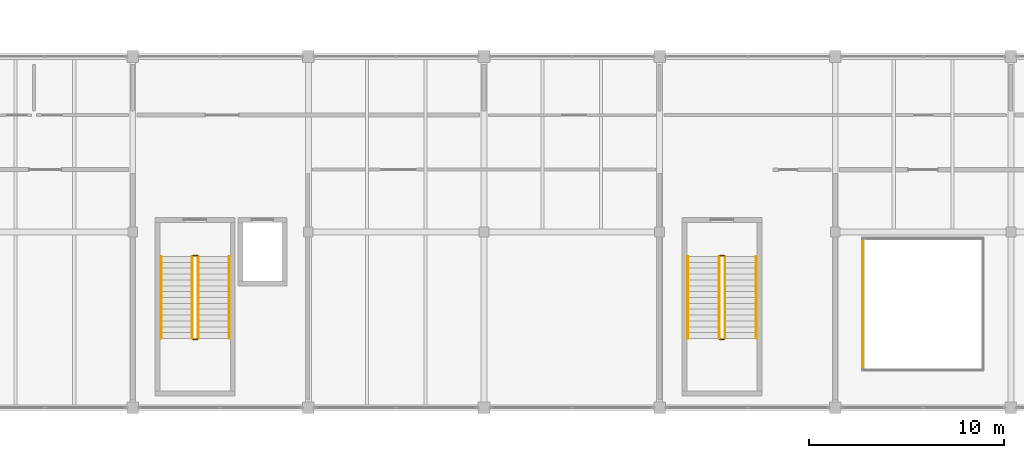
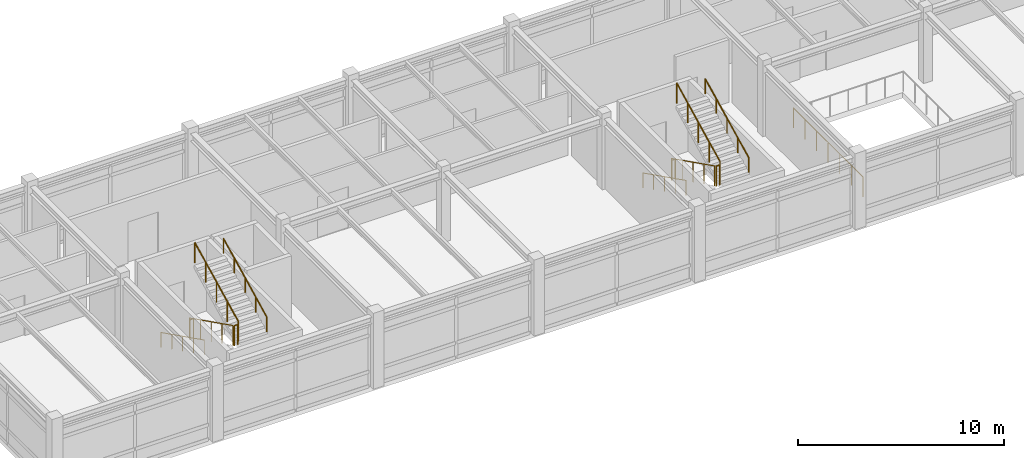
# One storey, part 32 of 33: 13 railings.
"""IFC4 building model written with IfcOpenShell, lengths in metres."""

from ifc_helpers import new_model, si_unit, direction, frame, origin, origin_2d, place, context, subcontext, project, spatial, circle, extrude, material, type_object, element, save


model = new_model("IFC4")

# Units and contexts
model_context = context("Model", 3, precision=1e-05, world=origin(), true_north=direction((0.0, 1.0)))
body_context = subcontext(model_context, "Body", "Model", "MODEL_VIEW")
ifc_project = project(units=[si_unit("LENGTHUNIT", "METRE"), si_unit("AREAUNIT", "SQUARE_METRE"), si_unit("VOLUMEUNIT", "CUBIC_METRE"), si_unit("PLANEANGLEUNIT", "RADIAN"), si_unit("MASSUNIT", "GRAM", prefix="KILO")], contexts=[model_context])

# Site, building, storey
site_placement = place(None, origin())
site = spatial("IfcSite", under=ifc_project, at=site_placement, CompositionType="ELEMENT")
building_placement = place(site_placement, origin())
building = spatial("IfcBuilding", under=site, at=building_placement, Name="Bozkorgan Art Gallery", CompositionType="ELEMENT")
storey_placement = place(building_placement, frame((0.0, 0.0, 19.5)))
storey = spatial("IfcBuildingStorey", under=building, at=storey_placement, Name="L04", CompositionType="ELEMENT", Elevation=19.5)

# Railings
ifc_material = material(Name="Steel S355J2", Category="steel")
railing_type_1 = type_object("IfcRailingType", Name="RAIL-BAL-INT", PredefinedType="BALUSTRADE", material=ifc_material)
railing_1_placement = place(storey_placement, frame((48.419921875, 3.919921875, 0.0)))
element("IfcRailing", 1, at=railing_1_placement, inside=storey, type_object=railing_type_1, Name="V1 L04 sculpture_lightwell guard W", PredefinedType="BALUSTRADE", context=body_context, shape_type="SweptSolid", body=[
    extrude(circle(Radius=0.02392578125, at=origin_2d()), frame((0.0, 0.0, 1.17578125), z_axis=(0.0, 1.0, 0.0), x_axis=(-1.0, 0.0, 0.0)), (0.0, 0.0, 1.0), 6.760009765625),
    extrude(circle(Radius=0.02099609375, at=origin_2d()), origin(), (0.0, 0.0, 1.0), 1.15185546875),
    extrude(circle(Radius=0.02099609375, at=origin_2d()), frame((0.0, 1.126708984375, 0.0)), (0.0, 0.0, 1.0), 1.15185546875),
    extrude(circle(Radius=0.02099609375, at=origin_2d()), frame((0.0, 2.25341796875, 0.0)), (0.0, 0.0, 1.0), 1.15185546875),
    extrude(circle(Radius=0.02099609375, at=origin_2d()), frame((0.0, 3.3798828125, 0.0)), (0.0, 0.0, 1.0), 1.15185546875),
    extrude(circle(Radius=0.02099609375, at=origin_2d()), frame((0.0, 4.506591796875, 0.0)), (0.0, 0.0, 1.0), 1.15185546875),
    extrude(circle(Radius=0.02099609375, at=origin_2d()), frame((0.0, 5.63330078125, 0.0)), (0.0, 0.0, 1.0), 1.15185546875),
    extrude(circle(Radius=0.02099609375, at=origin_2d()), frame((0.0, 6.760009765625, 0.0)), (0.0, 0.0, 1.0), 1.15185546875),
])
railing_type_2 = type_object("IfcRailingType", Name="RAIL-GRD-115", PredefinedType="GUARDRAIL", material=ifc_material)
railing_2_placement = place(storey_placement, frame((14.050048828125, 9.75, 0.14990234375)))
element("IfcRailing", 2, at=railing_2_placement, inside=storey, type_object=railing_type_2, Name="L04 ST1 stair guard 1", PredefinedType="GUARDRAIL", context=body_context, shape_type="SweptSolid", body=[
    extrude(circle(Radius=0.02392578125, at=origin_2d()), frame((0.0, 0.0, 1.17578125), z_axis=(0.0, -0.894416792377, 0.447234392142), x_axis=(1.0, 0.0, 0.0)), (0.0, 0.0, 1.0), 4.69580078125),
    extrude(circle(Radius=0.02099609375, at=origin_2d()), origin(), (0.0, 0.0, 1.0), 1.15185546875),
    extrude(circle(Radius=0.02099609375, at=origin_2d()), frame((0.0, -1.050048828125, 0.52490234375)), (0.0, 0.0, 1.0), 1.15185546875),
    extrude(circle(Radius=0.02099609375, at=origin_2d()), frame((0.0, -2.10009765625, 1.050048828125)), (0.0, 0.0, 1.0), 1.15185546875),
    extrude(circle(Radius=0.02099609375, at=origin_2d()), frame((0.0, -3.14990234375, 1.5751953125)), (0.0, 0.0, 1.0), 1.15185546875),
    extrude(circle(Radius=0.02099609375, at=origin_2d()), frame((0.0, -4.199951171875, 2.10009765625)), (0.0, 0.0, 1.0), 1.15185546875),
])
railing_3_placement = place(storey_placement, frame((14.10009765625, 5.5, 2.25)))
element("IfcRailing", 3, at=railing_3_placement, inside=storey, type_object=railing_type_2, Name="L04 ST1 stair guard 2", PredefinedType="GUARDRAIL", context=body_context, shape_type="SweptSolid", body=[
    extrude(circle(Radius=0.02392578125, at=origin_2d()), frame((0.0, 0.0, 1.17578125), z_axis=(1.0, 0.0, 0.0), x_axis=(0.0, 1.0, 0.0)), (0.0, 0.0, 1.0), 0.199951171875),
    extrude(circle(Radius=0.02099609375, at=origin_2d()), origin(), (0.0, 0.0, 1.0), 1.15185546875),
    extrude(circle(Radius=0.02099609375, at=origin_2d()), frame((0.199951171875, 0.0, 0.0)), (0.0, 0.0, 1.0), 1.15185546875),
])
railing_4_placement = place(storey_placement, frame((14.35009765625, 5.550048828125, 2.39990234375)))
element("IfcRailing", 4, at=railing_4_placement, inside=storey, type_object=railing_type_2, Name="L04 ST1 stair guard 3", PredefinedType="GUARDRAIL", context=body_context, shape_type="SweptSolid", body=[
    extrude(circle(Radius=0.02392578125, at=origin_2d()), frame((0.0, 0.0, 1.17578125), z_axis=(0.0, 0.894416792377, 0.447234392142), x_axis=(-1.0, 0.0, 0.0)), (0.0, 0.0, 1.0), 4.69580078125),
    extrude(circle(Radius=0.02099609375, at=origin_2d()), origin(), (0.0, 0.0, 1.0), 1.15185546875),
    extrude(circle(Radius=0.02099609375, at=origin_2d()), frame((0.0, 1.050048828125, 0.52490234375)), (0.0, 0.0, 1.0), 1.15185546875),
    extrude(circle(Radius=0.02099609375, at=origin_2d()), frame((0.0, 2.10009765625, 1.050048828125)), (0.0, 0.0, 1.0), 1.15185546875),
    extrude(circle(Radius=0.02099609375, at=origin_2d()), frame((0.0, 3.14990234375, 1.5751953125)), (0.0, 0.0, 1.0), 1.15185546875),
    extrude(circle(Radius=0.02099609375, at=origin_2d()), frame((0.0, 4.199951171875, 2.10009765625)), (0.0, 0.0, 1.0), 1.15185546875),
])
railing_5_placement = place(storey_placement, frame((14.10009765625, 9.800048828125, 0.0)))
element("IfcRailing", 5, at=railing_5_placement, inside=storey, type_object=railing_type_2, Name="L04 ST1 stair guard 4", PredefinedType="GUARDRAIL", context=body_context, shape_type="SweptSolid", body=[
    extrude(circle(Radius=0.02392578125, at=origin_2d()), frame((0.0, 0.0, 1.17578125), z_axis=(1.0, 0.0, 0.0), x_axis=(0.0, 1.0, 0.0)), (0.0, 0.0, 1.0), 0.199951171875),
    extrude(circle(Radius=0.02099609375, at=origin_2d()), origin(), (0.0, 0.0, 1.0), 1.15185546875),
    extrude(circle(Radius=0.02099609375, at=origin_2d()), frame((0.199951171875, 0.0, 0.0)), (0.0, 0.0, 1.0), 1.15185546875),
])
railing_6_placement = place(storey_placement, frame((41.050048828125, 9.75, 0.14990234375)))
element("IfcRailing", 6, at=railing_6_placement, inside=storey, type_object=railing_type_2, Name="L04 ST12 stair guard 1", PredefinedType="GUARDRAIL", context=body_context, shape_type="SweptSolid", body=[
    extrude(circle(Radius=0.02392578125, at=origin_2d()), frame((0.0, 0.0, 1.17578125), z_axis=(0.0, -0.894416792377, 0.447234392142), x_axis=(1.0, 0.0, 0.0)), (0.0, 0.0, 1.0), 4.69580078125),
    extrude(circle(Radius=0.02099609375, at=origin_2d()), origin(), (0.0, 0.0, 1.0), 1.15185546875),
    extrude(circle(Radius=0.02099609375, at=origin_2d()), frame((0.0, -1.050048828125, 0.52490234375)), (0.0, 0.0, 1.0), 1.15185546875),
    extrude(circle(Radius=0.02099609375, at=origin_2d()), frame((0.0, -2.10009765625, 1.050048828125)), (0.0, 0.0, 1.0), 1.15185546875),
    extrude(circle(Radius=0.02099609375, at=origin_2d()), frame((0.0, -3.14990234375, 1.5751953125)), (0.0, 0.0, 1.0), 1.15185546875),
    extrude(circle(Radius=0.02099609375, at=origin_2d()), frame((0.0, -4.199951171875, 2.10009765625)), (0.0, 0.0, 1.0), 1.15185546875),
])
railing_7_placement = place(storey_placement, frame((41.10009765625, 5.5, 2.25)))
element("IfcRailing", 7, at=railing_7_placement, inside=storey, type_object=railing_type_2, Name="L04 ST12 stair guard 2", PredefinedType="GUARDRAIL", context=body_context, shape_type="SweptSolid", body=[
    extrude(circle(Radius=0.02392578125, at=origin_2d()), frame((0.0, 0.0, 1.17578125), z_axis=(1.0, 0.0, 0.0), x_axis=(0.0, 1.0, 0.0)), (0.0, 0.0, 1.0), 0.199951171875),
    extrude(circle(Radius=0.02099609375, at=origin_2d()), origin(), (0.0, 0.0, 1.0), 1.15185546875),
    extrude(circle(Radius=0.02099609375, at=origin_2d()), frame((0.199951171875, 0.0, 0.0)), (0.0, 0.0, 1.0), 1.15185546875),
])
railing_8_placement = place(storey_placement, frame((41.35009765625, 5.550048828125, 2.39990234375)))
element("IfcRailing", 8, at=railing_8_placement, inside=storey, type_object=railing_type_2, Name="L04 ST12 stair guard 3", PredefinedType="GUARDRAIL", context=body_context, shape_type="SweptSolid", body=[
    extrude(circle(Radius=0.02392578125, at=origin_2d()), frame((0.0, 0.0, 1.17578125), z_axis=(0.0, 0.894416792377, 0.447234392142), x_axis=(-1.0, 0.0, 0.0)), (0.0, 0.0, 1.0), 4.69580078125),
    extrude(circle(Radius=0.02099609375, at=origin_2d()), origin(), (0.0, 0.0, 1.0), 1.15185546875),
    extrude(circle(Radius=0.02099609375, at=origin_2d()), frame((0.0, 1.050048828125, 0.52490234375)), (0.0, 0.0, 1.0), 1.15185546875),
    extrude(circle(Radius=0.02099609375, at=origin_2d()), frame((0.0, 2.10009765625, 1.050048828125)), (0.0, 0.0, 1.0), 1.15185546875),
    extrude(circle(Radius=0.02099609375, at=origin_2d()), frame((0.0, 3.14990234375, 1.5751953125)), (0.0, 0.0, 1.0), 1.15185546875),
    extrude(circle(Radius=0.02099609375, at=origin_2d()), frame((0.0, 4.199951171875, 2.10009765625)), (0.0, 0.0, 1.0), 1.15185546875),
])
railing_9_placement = place(storey_placement, frame((41.10009765625, 9.800048828125, 0.0)))
element("IfcRailing", 9, at=railing_9_placement, inside=storey, type_object=railing_type_2, Name="L04 ST12 stair guard 4", PredefinedType="GUARDRAIL", context=body_context, shape_type="SweptSolid", body=[
    extrude(circle(Radius=0.02392578125, at=origin_2d()), frame((0.0, 0.0, 1.17578125), z_axis=(1.0, 0.0, 0.0), x_axis=(0.0, 1.0, 0.0)), (0.0, 0.0, 1.0), 0.199951171875),
    extrude(circle(Radius=0.02099609375, at=origin_2d()), origin(), (0.0, 0.0, 1.0), 1.15185546875),
    extrude(circle(Radius=0.02099609375, at=origin_2d()), frame((0.199951171875, 0.0, 0.0)), (0.0, 0.0, 1.0), 1.15185546875),
])
railing_type_3 = type_object("IfcRailingType", Name="RAIL-HND-092", PredefinedType="HANDRAIL", material=ifc_material)
railing_10_placement = place(storey_placement, frame((12.449951171875, 9.75, 0.14990234375)))
element("IfcRailing", 10, at=railing_10_placement, inside=storey, type_object=railing_type_3, Name="L04 ST1 stair handrail 1", PredefinedType="HANDRAIL", context=body_context, shape_type="SweptSolid", body=[
    extrude(circle(Radius=0.02392578125, at=origin_2d()), frame((0.0, 0.0, 0.8759765625), z_axis=(0.0, -0.894416792377, 0.447234392142), x_axis=(1.0, 0.0, 0.0)), (0.0, 0.0, 1.0), 4.69580078125),
    extrude(circle(Radius=0.02099609375, at=origin_2d()), origin(), (0.0, 0.0, 1.0), 0.851806640625),
    extrude(circle(Radius=0.02099609375, at=origin_2d()), frame((0.0, -1.050048828125, 0.52490234375)), (0.0, 0.0, 1.0), 0.851806640625),
    extrude(circle(Radius=0.02099609375, at=origin_2d()), frame((0.0, -2.10009765625, 1.050048828125)), (0.0, 0.0, 1.0), 0.851806640625),
    extrude(circle(Radius=0.02099609375, at=origin_2d()), frame((0.0, -3.14990234375, 1.5751953125)), (0.0, 0.0, 1.0), 0.851806640625),
    extrude(circle(Radius=0.02099609375, at=origin_2d()), frame((0.0, -4.199951171875, 2.10009765625)), (0.0, 0.0, 1.0), 0.851806640625),
])
railing_11_placement = place(storey_placement, frame((15.949951171875, 5.550048828125, 2.39990234375)))
element("IfcRailing", 11, at=railing_11_placement, inside=storey, type_object=railing_type_3, Name="L04 ST1 stair handrail 2", PredefinedType="HANDRAIL", context=body_context, shape_type="SweptSolid", body=[
    extrude(circle(Radius=0.02392578125, at=origin_2d()), frame((0.0, 0.0, 0.8759765625), z_axis=(0.0, 0.894416792377, 0.447234392142), x_axis=(-1.0, 0.0, 0.0)), (0.0, 0.0, 1.0), 4.69580078125),
    extrude(circle(Radius=0.02099609375, at=origin_2d()), origin(), (0.0, 0.0, 1.0), 0.851806640625),
    extrude(circle(Radius=0.02099609375, at=origin_2d()), frame((0.0, 1.050048828125, 0.52490234375)), (0.0, 0.0, 1.0), 0.851806640625),
    extrude(circle(Radius=0.02099609375, at=origin_2d()), frame((0.0, 2.10009765625, 1.050048828125)), (0.0, 0.0, 1.0), 0.851806640625),
    extrude(circle(Radius=0.02099609375, at=origin_2d()), frame((0.0, 3.14990234375, 1.5751953125)), (0.0, 0.0, 1.0), 0.851806640625),
    extrude(circle(Radius=0.02099609375, at=origin_2d()), frame((0.0, 4.199951171875, 2.10009765625)), (0.0, 0.0, 1.0), 0.851806640625),
])
railing_12_placement = place(storey_placement, frame((39.449951171875, 9.75, 0.14990234375)))
element("IfcRailing", 12, at=railing_12_placement, inside=storey, type_object=railing_type_3, Name="L04 ST12 stair handrail 1", PredefinedType="HANDRAIL", context=body_context, shape_type="SweptSolid", body=[
    extrude(circle(Radius=0.02392578125, at=origin_2d()), frame((0.0, 0.0, 0.8759765625), z_axis=(0.0, -0.894416792377, 0.447234392142), x_axis=(1.0, 0.0, 0.0)), (0.0, 0.0, 1.0), 4.69580078125),
    extrude(circle(Radius=0.02099609375, at=origin_2d()), origin(), (0.0, 0.0, 1.0), 0.851806640625),
    extrude(circle(Radius=0.02099609375, at=origin_2d()), frame((0.0, -1.050048828125, 0.52490234375)), (0.0, 0.0, 1.0), 0.851806640625),
    extrude(circle(Radius=0.02099609375, at=origin_2d()), frame((0.0, -2.10009765625, 1.050048828125)), (0.0, 0.0, 1.0), 0.851806640625),
    extrude(circle(Radius=0.02099609375, at=origin_2d()), frame((0.0, -3.14990234375, 1.5751953125)), (0.0, 0.0, 1.0), 0.851806640625),
    extrude(circle(Radius=0.02099609375, at=origin_2d()), frame((0.0, -4.199951171875, 2.10009765625)), (0.0, 0.0, 1.0), 0.851806640625),
])
railing_13_placement = place(storey_placement, frame((42.949951171875, 5.550048828125, 2.39990234375)))
element("IfcRailing", 13, at=railing_13_placement, inside=storey, type_object=railing_type_3, Name="L04 ST12 stair handrail 2", PredefinedType="HANDRAIL", context=body_context, shape_type="SweptSolid", body=[
    extrude(circle(Radius=0.02392578125, at=origin_2d()), frame((0.0, 0.0, 0.8759765625), z_axis=(0.0, 0.894416792377, 0.447234392142), x_axis=(-1.0, 0.0, 0.0)), (0.0, 0.0, 1.0), 4.69580078125),
    extrude(circle(Radius=0.02099609375, at=origin_2d()), origin(), (0.0, 0.0, 1.0), 0.851806640625),
    extrude(circle(Radius=0.02099609375, at=origin_2d()), frame((0.0, 1.050048828125, 0.52490234375)), (0.0, 0.0, 1.0), 0.851806640625),
    extrude(circle(Radius=0.02099609375, at=origin_2d()), frame((0.0, 2.10009765625, 1.050048828125)), (0.0, 0.0, 1.0), 0.851806640625),
    extrude(circle(Radius=0.02099609375, at=origin_2d()), frame((0.0, 3.14990234375, 1.5751953125)), (0.0, 0.0, 1.0), 0.851806640625),
    extrude(circle(Radius=0.02099609375, at=origin_2d()), frame((0.0, 4.199951171875, 2.10009765625)), (0.0, 0.0, 1.0), 0.851806640625),
])

save(model, "model.ifc")
